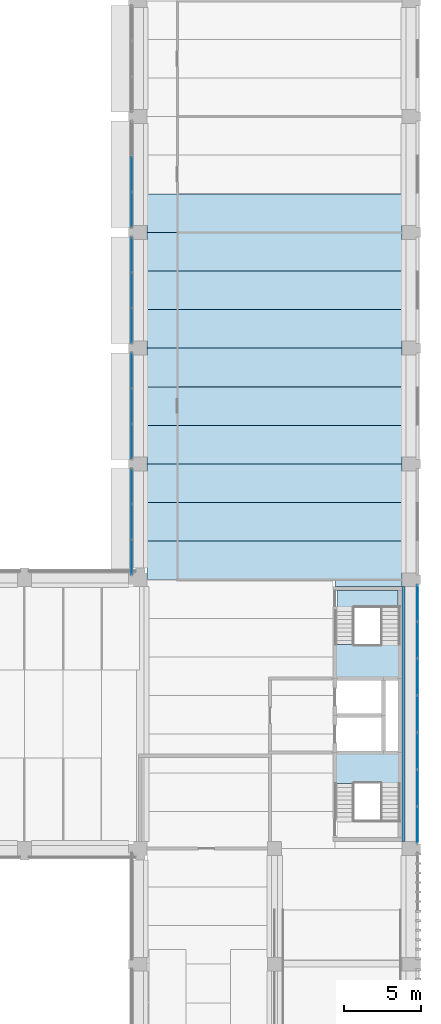
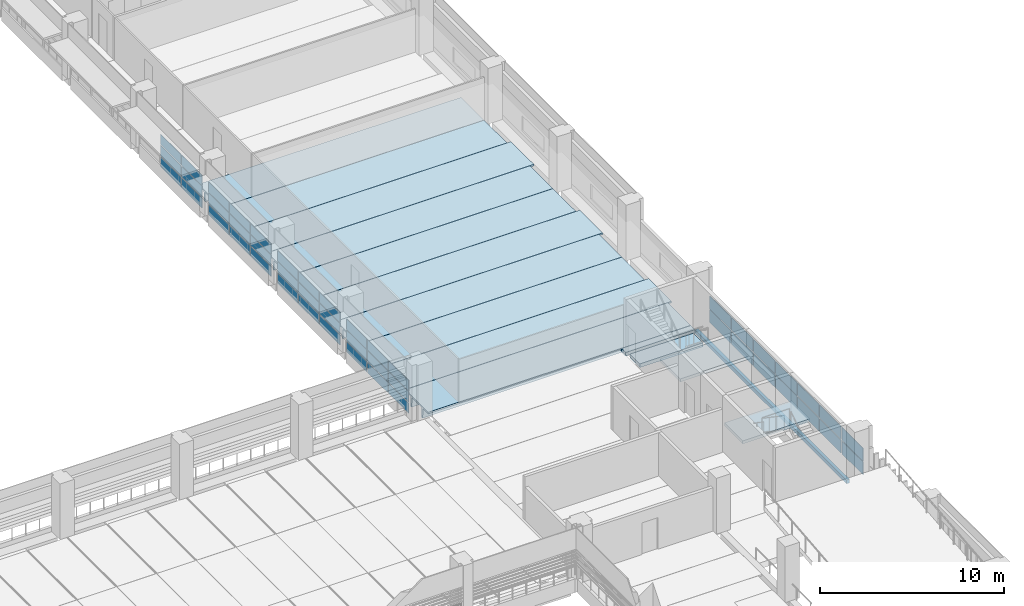
# One storey, part 27 of 57: 47 plates, 15 slabs, 7 elements without a shape of their own.
"""IFC4 building model written with IfcOpenShell, lengths in metres."""

from ifc_helpers import new_model, si_unit, direction, frame, origin, origin_2d, place, context, subcontext, project, spatial, polyline, rectangle, outline, extrude, material, layer, layer_set, material_profile, profile_set, type_object, element, aggregate, save


model = new_model("IFC4")

# Units and contexts
model_context = context("Model", 3, precision=1e-05, world=origin(), true_north=direction((0.0, 1.0)))
body_context = subcontext(model_context, "Body", "Model", "MODEL_VIEW")
ifc_project = project(units=[si_unit("LENGTHUNIT", "METRE"), si_unit("AREAUNIT", "SQUARE_METRE"), si_unit("VOLUMEUNIT", "CUBIC_METRE"), si_unit("PLANEANGLEUNIT", "RADIAN"), si_unit("MASSUNIT", "GRAM", prefix="KILO")], contexts=[model_context])

# Site, building, storey
site_placement = place(None, origin())
site = spatial("IfcSite", under=ifc_project, at=site_placement, CompositionType="ELEMENT")
building_placement = place(site_placement, origin())
building = spatial("IfcBuilding", under=site, at=building_placement, Name="Cour d'Honneur Mobility Palace", CompositionType="ELEMENT")
storey_placement = place(building_placement, frame((0.0, 0.0, 8.199951171875)))
storey = spatial("IfcBuildingStorey", under=building, at=storey_placement, Name="L02", CompositionType="ELEMENT", Elevation=8.199951171875)

# Slabs
ifc_material_1 = material(Name="Concrete C50", Category="concrete")
ifc_layer_1 = layer(ifc_material_1, 0.25)
ifc_layer_set_1 = layer_set([ifc_layer_1], Name="Concrete C50")
slab_type_1 = type_object("IfcSlabType", Name="Cast-in-place Slab 250", PredefinedType="FLOOR", material=ifc_layer_set_1)
slab_1_placement = place(storey_placement, frame((0.0, 0.0, -0.25)))
element("IfcSlab", 1, at=slab_1_placement, inside=storey, type_object=slab_type_1, Name="Cast-in-place slab S1 L02 core", PredefinedType="FLOOR", context=body_context, shape_type="SweptSolid", body=[
    extrude(outline(polyline([(161.85009765625, 61.949951171875), (157.5, 61.949951171875), (157.5, 62.39990234375), (161.85009765625, 62.39990234375), (161.85009765625, 61.949951171875)])), origin(), (0.0, 0.0, 1.0), 0.25),
])
slab_2_placement = place(storey_placement, frame((0.0, 0.0, -0.25)))
element("IfcSlab", 2, at=slab_2_placement, inside=storey, type_object=slab_type_1, Name="Cast-in-place slab S1 L02 core", PredefinedType="FLOOR", context=body_context, shape_type="SweptSolid", body=[
    extrude(outline(polyline([(162.050048828125, 61.949951171875), (162.050048828125, 45.449951171875), (161.85009765625, 45.449951171875), (161.85009765625, 61.949951171875), (162.050048828125, 61.949951171875)])), origin(), (0.0, 0.0, 1.0), 0.25),
])
slab_3_placement = place(storey_placement, frame((0.0, 0.0, -0.25)))
element("IfcSlab", 3, at=slab_3_placement, inside=storey, type_object=slab_type_1, Name="Cast-in-place slab S1 L02 core", PredefinedType="FLOOR", context=body_context, shape_type="SweptSolid", body=[
    extrude(outline(polyline([(161.60009765625, 61.699951171875), (161.60009765625, 60.625), (157.625, 60.625), (157.625, 61.699951171875), (161.60009765625, 61.699951171875)])), origin(), (0.0, 0.0, 1.0), 0.25),
])

# Curtain wall, plates
ifc_material_2 = material(Name="Aluminium and glass", Category="aluminium")
ifc_layer_2 = layer(ifc_material_2, 0.10009765625)
ifc_layer_set_2 = layer_set([ifc_layer_2], Name="Aluminium and glass")
curtain_wall_type = type_object("IfcCurtainWallType", Name="Curtain wall run", PredefinedType="NOTDEFINED", material=ifc_layer_set_2)
curtain_wall_1_placement = place(storey_placement, origin())
curtain_wall_1 = element("IfcCurtainWall", 4, at=curtain_wall_1_placement, inside=storey, type_object=curtain_wall_type, Name="Curtain wall CW-54", PredefinedType="NOTDEFINED")
ifc_material_3 = material(Name="Double glazing", Category="glass")
ifc_layer_3 = layer(ifc_material_3, 0.028076171875)
ifc_layer_set_3 = layer_set([ifc_layer_3], Name="Double glazing")
plate_type = type_object("IfcPlateType", Name="Curtain wall panel", PredefinedType="CURTAIN_PANEL", material=ifc_layer_set_3)
plate_1_placement = place(storey_placement, frame((144.35009765625, 88.64990234375, 0.06005859375), z_axis=(0.0, 0.0, 1.0), x_axis=(0.0, -1.0, 0.0)))
plate_1 = element("IfcPlate", 5, at=plate_1_placement, type_object=plate_type, Name="CW-54 panel 2.1", PredefinedType="CURTAIN_PANEL", context=body_context, shape_type="SweptSolid", body=[
    extrude(rectangle(XDim=2.239990234375, YDim=0.028076171875, at=origin_2d()), origin(), (0.0, 0.0, 1.0), 0.6767578125),
])
plate_2_placement = place(storey_placement, frame((144.35009765625, 88.64990234375, 0.796875), z_axis=(0.0, 0.0, 1.0), x_axis=(0.0, -1.0, 0.0)))
plate_2 = element("IfcPlate", 6, at=plate_2_placement, type_object=plate_type, Name="CW-54 panel 2.2", PredefinedType="CURTAIN_PANEL", context=body_context, shape_type="SweptSolid", body=[
    extrude(rectangle(XDim=2.239990234375, YDim=0.028076171875, at=origin_2d()), origin(), (0.0, 0.0, 1.0), 0.706787109375),
])
plate_3_placement = place(storey_placement, frame((144.35009765625, 88.64990234375, 1.563232421875), z_axis=(0.0, 0.0, 1.0), x_axis=(0.0, -1.0, 0.0)))
plate_3 = element("IfcPlate", 7, at=plate_3_placement, type_object=plate_type, Name="CW-54 panel 2.3", PredefinedType="CURTAIN_PANEL", context=body_context, shape_type="SweptSolid", body=[
    extrude(rectangle(XDim=2.239990234375, YDim=0.028076171875, at=origin_2d()), origin(), (0.0, 0.0, 1.0), 0.6767578125),
])
plate_4_placement = place(storey_placement, frame((144.35009765625, 86.364990234375, 0.06005859375), z_axis=(0.0, 0.0, 1.0), x_axis=(0.0, -1.0, 0.0)))
plate_4 = element("IfcPlate", 8, at=plate_4_placement, type_object=plate_type, Name="CW-54 panel 3.1", PredefinedType="CURTAIN_PANEL", context=body_context, shape_type="SweptSolid", body=[
    extrude(rectangle(XDim=2.2099609375, YDim=0.028076171875, at=origin_2d()), origin(), (0.0, 0.0, 1.0), 0.6767578125),
])
plate_5_placement = place(storey_placement, frame((144.35009765625, 86.364990234375, 0.796875), z_axis=(0.0, 0.0, 1.0), x_axis=(0.0, -1.0, 0.0)))
plate_5 = element("IfcPlate", 9, at=plate_5_placement, type_object=plate_type, Name="CW-54 panel 3.2", PredefinedType="CURTAIN_PANEL", context=body_context, shape_type="SweptSolid", body=[
    extrude(rectangle(XDim=2.2099609375, YDim=0.028076171875, at=origin_2d()), origin(), (0.0, 0.0, 1.0), 0.706787109375),
])
plate_6_placement = place(storey_placement, frame((144.35009765625, 86.364990234375, 1.563232421875), z_axis=(0.0, 0.0, 1.0), x_axis=(0.0, -1.0, 0.0)))
plate_6 = element("IfcPlate", 10, at=plate_6_placement, type_object=plate_type, Name="CW-54 panel 3.3", PredefinedType="CURTAIN_PANEL", context=body_context, shape_type="SweptSolid", body=[
    extrude(rectangle(XDim=2.2099609375, YDim=0.028076171875, at=origin_2d()), origin(), (0.0, 0.0, 1.0), 0.6767578125),
])
aggregate(curtain_wall_1, [plate_1, plate_2, plate_3, plate_4, plate_5, plate_6])

curtain_wall_2_placement = place(storey_placement, origin())
curtain_wall_2 = element("IfcCurtainWall", 11, at=curtain_wall_2_placement, inside=storey, type_object=curtain_wall_type, Name="Curtain wall CW-55", PredefinedType="NOTDEFINED")
plate_7_placement = place(storey_placement, frame((144.35009765625, 83.43505859375, 0.06005859375), z_axis=(0.0, 0.0, 1.0), x_axis=(0.0, -1.0, 0.0)))
plate_7 = element("IfcPlate", 12, at=plate_7_placement, type_object=plate_type, Name="CW-55 panel 1.1", PredefinedType="CURTAIN_PANEL", context=body_context, shape_type="SweptSolid", body=[
    extrude(rectangle(XDim=2.2099609375, YDim=0.028076171875, at=origin_2d()), origin(), (0.0, 0.0, 1.0), 0.6767578125),
])
plate_8_placement = place(storey_placement, frame((144.35009765625, 83.43505859375, 0.796875), z_axis=(0.0, 0.0, 1.0), x_axis=(0.0, -1.0, 0.0)))
plate_8 = element("IfcPlate", 13, at=plate_8_placement, type_object=plate_type, Name="CW-55 panel 1.2", PredefinedType="CURTAIN_PANEL", context=body_context, shape_type="SweptSolid", body=[
    extrude(rectangle(XDim=2.2099609375, YDim=0.028076171875, at=origin_2d()), origin(), (0.0, 0.0, 1.0), 0.706787109375),
])
plate_9_placement = place(storey_placement, frame((144.35009765625, 83.43505859375, 1.563232421875), z_axis=(0.0, 0.0, 1.0), x_axis=(0.0, -1.0, 0.0)))
plate_9 = element("IfcPlate", 14, at=plate_9_placement, type_object=plate_type, Name="CW-55 panel 1.3", PredefinedType="CURTAIN_PANEL", context=body_context, shape_type="SweptSolid", body=[
    extrude(rectangle(XDim=2.2099609375, YDim=0.028076171875, at=origin_2d()), origin(), (0.0, 0.0, 1.0), 0.6767578125),
])
plate_10_placement = place(storey_placement, frame((144.35009765625, 81.14990234375, 0.06005859375), z_axis=(0.0, 0.0, 1.0), x_axis=(0.0, -1.0, 0.0)))
plate_10 = element("IfcPlate", 15, at=plate_10_placement, type_object=plate_type, Name="CW-55 panel 2.1", PredefinedType="CURTAIN_PANEL", context=body_context, shape_type="SweptSolid", body=[
    extrude(rectangle(XDim=2.239990234375, YDim=0.028076171875, at=origin_2d()), origin(), (0.0, 0.0, 1.0), 0.6767578125),
])
plate_11_placement = place(storey_placement, frame((144.35009765625, 81.14990234375, 0.796875), z_axis=(0.0, 0.0, 1.0), x_axis=(0.0, -1.0, 0.0)))
plate_11 = element("IfcPlate", 16, at=plate_11_placement, type_object=plate_type, Name="CW-55 panel 2.2", PredefinedType="CURTAIN_PANEL", context=body_context, shape_type="SweptSolid", body=[
    extrude(rectangle(XDim=2.239990234375, YDim=0.028076171875, at=origin_2d()), origin(), (0.0, 0.0, 1.0), 0.706787109375),
])
plate_12_placement = place(storey_placement, frame((144.35009765625, 81.14990234375, 1.563232421875), z_axis=(0.0, 0.0, 1.0), x_axis=(0.0, -1.0, 0.0)))
plate_12 = element("IfcPlate", 17, at=plate_12_placement, type_object=plate_type, Name="CW-55 panel 2.3", PredefinedType="CURTAIN_PANEL", context=body_context, shape_type="SweptSolid", body=[
    extrude(rectangle(XDim=2.239990234375, YDim=0.028076171875, at=origin_2d()), origin(), (0.0, 0.0, 1.0), 0.6767578125),
])
plate_13_placement = place(storey_placement, frame((144.35009765625, 78.864990234375, 0.06005859375), z_axis=(0.0, 0.0, 1.0), x_axis=(0.0, -1.0, 0.0)))
plate_13 = element("IfcPlate", 18, at=plate_13_placement, type_object=plate_type, Name="CW-55 panel 3.1", PredefinedType="CURTAIN_PANEL", context=body_context, shape_type="SweptSolid", body=[
    extrude(rectangle(XDim=2.2099609375, YDim=0.028076171875, at=origin_2d()), origin(), (0.0, 0.0, 1.0), 0.6767578125),
])
plate_14_placement = place(storey_placement, frame((144.35009765625, 78.864990234375, 0.796875), z_axis=(0.0, 0.0, 1.0), x_axis=(0.0, -1.0, 0.0)))
plate_14 = element("IfcPlate", 19, at=plate_14_placement, type_object=plate_type, Name="CW-55 panel 3.2", PredefinedType="CURTAIN_PANEL", context=body_context, shape_type="SweptSolid", body=[
    extrude(rectangle(XDim=2.2099609375, YDim=0.028076171875, at=origin_2d()), origin(), (0.0, 0.0, 1.0), 0.706787109375),
])
plate_15_placement = place(storey_placement, frame((144.35009765625, 78.864990234375, 1.563232421875), z_axis=(0.0, 0.0, 1.0), x_axis=(0.0, -1.0, 0.0)))
plate_15 = element("IfcPlate", 20, at=plate_15_placement, type_object=plate_type, Name="CW-55 panel 3.3", PredefinedType="CURTAIN_PANEL", context=body_context, shape_type="SweptSolid", body=[
    extrude(rectangle(XDim=2.2099609375, YDim=0.028076171875, at=origin_2d()), origin(), (0.0, 0.0, 1.0), 0.6767578125),
])
aggregate(curtain_wall_2, [plate_7, plate_8, plate_9, plate_10, plate_11, plate_12, plate_13, plate_14, plate_15])

curtain_wall_3_placement = place(storey_placement, origin())
curtain_wall_3 = element("IfcCurtainWall", 21, at=curtain_wall_3_placement, inside=storey, type_object=curtain_wall_type, Name="Curtain wall CW-56", PredefinedType="NOTDEFINED")
plate_16_placement = place(storey_placement, frame((144.35009765625, 75.93505859375, 0.06005859375), z_axis=(0.0, 0.0, 1.0), x_axis=(0.0, -1.0, 0.0)))
plate_16 = element("IfcPlate", 22, at=plate_16_placement, type_object=plate_type, Name="CW-56 panel 1.1", PredefinedType="CURTAIN_PANEL", context=body_context, shape_type="SweptSolid", body=[
    extrude(rectangle(XDim=2.2099609375, YDim=0.028076171875, at=origin_2d()), origin(), (0.0, 0.0, 1.0), 0.6767578125),
])
plate_17_placement = place(storey_placement, frame((144.35009765625, 75.93505859375, 0.796875), z_axis=(0.0, 0.0, 1.0), x_axis=(0.0, -1.0, 0.0)))
plate_17 = element("IfcPlate", 23, at=plate_17_placement, type_object=plate_type, Name="CW-56 panel 1.2", PredefinedType="CURTAIN_PANEL", context=body_context, shape_type="SweptSolid", body=[
    extrude(rectangle(XDim=2.2099609375, YDim=0.028076171875, at=origin_2d()), origin(), (0.0, 0.0, 1.0), 0.706787109375),
])
plate_18_placement = place(storey_placement, frame((144.35009765625, 75.93505859375, 1.563232421875), z_axis=(0.0, 0.0, 1.0), x_axis=(0.0, -1.0, 0.0)))
plate_18 = element("IfcPlate", 24, at=plate_18_placement, type_object=plate_type, Name="CW-56 panel 1.3", PredefinedType="CURTAIN_PANEL", context=body_context, shape_type="SweptSolid", body=[
    extrude(rectangle(XDim=2.2099609375, YDim=0.028076171875, at=origin_2d()), origin(), (0.0, 0.0, 1.0), 0.6767578125),
])
plate_19_placement = place(storey_placement, frame((144.35009765625, 73.64990234375, 0.06005859375), z_axis=(0.0, 0.0, 1.0), x_axis=(0.0, -1.0, 0.0)))
plate_19 = element("IfcPlate", 25, at=plate_19_placement, type_object=plate_type, Name="CW-56 panel 2.1", PredefinedType="CURTAIN_PANEL", context=body_context, shape_type="SweptSolid", body=[
    extrude(rectangle(XDim=2.239990234375, YDim=0.028076171875, at=origin_2d()), origin(), (0.0, 0.0, 1.0), 0.6767578125),
])
plate_20_placement = place(storey_placement, frame((144.35009765625, 73.64990234375, 0.796875), z_axis=(0.0, 0.0, 1.0), x_axis=(0.0, -1.0, 0.0)))
plate_20 = element("IfcPlate", 26, at=plate_20_placement, type_object=plate_type, Name="CW-56 panel 2.2", PredefinedType="CURTAIN_PANEL", context=body_context, shape_type="SweptSolid", body=[
    extrude(rectangle(XDim=2.239990234375, YDim=0.028076171875, at=origin_2d()), origin(), (0.0, 0.0, 1.0), 0.706787109375),
])
plate_21_placement = place(storey_placement, frame((144.35009765625, 73.64990234375, 1.563232421875), z_axis=(0.0, 0.0, 1.0), x_axis=(0.0, -1.0, 0.0)))
plate_21 = element("IfcPlate", 27, at=plate_21_placement, type_object=plate_type, Name="CW-56 panel 2.3", PredefinedType="CURTAIN_PANEL", context=body_context, shape_type="SweptSolid", body=[
    extrude(rectangle(XDim=2.239990234375, YDim=0.028076171875, at=origin_2d()), origin(), (0.0, 0.0, 1.0), 0.6767578125),
])
plate_22_placement = place(storey_placement, frame((144.35009765625, 71.364990234375, 0.06005859375), z_axis=(0.0, 0.0, 1.0), x_axis=(0.0, -1.0, 0.0)))
plate_22 = element("IfcPlate", 28, at=plate_22_placement, type_object=plate_type, Name="CW-56 panel 3.1", PredefinedType="CURTAIN_PANEL", context=body_context, shape_type="SweptSolid", body=[
    extrude(rectangle(XDim=2.2099609375, YDim=0.028076171875, at=origin_2d()), origin(), (0.0, 0.0, 1.0), 0.6767578125),
])
plate_23_placement = place(storey_placement, frame((144.35009765625, 71.364990234375, 0.796875), z_axis=(0.0, 0.0, 1.0), x_axis=(0.0, -1.0, 0.0)))
plate_23 = element("IfcPlate", 29, at=plate_23_placement, type_object=plate_type, Name="CW-56 panel 3.2", PredefinedType="CURTAIN_PANEL", context=body_context, shape_type="SweptSolid", body=[
    extrude(rectangle(XDim=2.2099609375, YDim=0.028076171875, at=origin_2d()), origin(), (0.0, 0.0, 1.0), 0.706787109375),
])
plate_24_placement = place(storey_placement, frame((144.35009765625, 71.364990234375, 1.563232421875), z_axis=(0.0, 0.0, 1.0), x_axis=(0.0, -1.0, 0.0)))
plate_24 = element("IfcPlate", 30, at=plate_24_placement, type_object=plate_type, Name="CW-56 panel 3.3", PredefinedType="CURTAIN_PANEL", context=body_context, shape_type="SweptSolid", body=[
    extrude(rectangle(XDim=2.2099609375, YDim=0.028076171875, at=origin_2d()), origin(), (0.0, 0.0, 1.0), 0.6767578125),
])
aggregate(curtain_wall_3, [plate_16, plate_17, plate_18, plate_19, plate_20, plate_21, plate_22, plate_23, plate_24])

curtain_wall_4_placement = place(storey_placement, origin())
curtain_wall_4 = element("IfcCurtainWall", 31, at=curtain_wall_4_placement, inside=storey, type_object=curtain_wall_type, Name="Curtain wall CW-57", PredefinedType="NOTDEFINED")
plate_25_placement = place(storey_placement, frame((144.35009765625, 68.43505859375, 0.06005859375), z_axis=(0.0, 0.0, 1.0), x_axis=(0.0, -1.0, 0.0)))
plate_25 = element("IfcPlate", 32, at=plate_25_placement, type_object=plate_type, Name="CW-57 panel 1.1", PredefinedType="CURTAIN_PANEL", context=body_context, shape_type="SweptSolid", body=[
    extrude(rectangle(XDim=2.2099609375, YDim=0.028076171875, at=origin_2d()), origin(), (0.0, 0.0, 1.0), 0.6767578125),
])
plate_26_placement = place(storey_placement, frame((144.35009765625, 68.43505859375, 0.796875), z_axis=(0.0, 0.0, 1.0), x_axis=(0.0, -1.0, 0.0)))
plate_26 = element("IfcPlate", 33, at=plate_26_placement, type_object=plate_type, Name="CW-57 panel 1.2", PredefinedType="CURTAIN_PANEL", context=body_context, shape_type="SweptSolid", body=[
    extrude(rectangle(XDim=2.2099609375, YDim=0.028076171875, at=origin_2d()), origin(), (0.0, 0.0, 1.0), 0.706787109375),
])
plate_27_placement = place(storey_placement, frame((144.35009765625, 68.43505859375, 1.563232421875), z_axis=(0.0, 0.0, 1.0), x_axis=(0.0, -1.0, 0.0)))
plate_27 = element("IfcPlate", 34, at=plate_27_placement, type_object=plate_type, Name="CW-57 panel 1.3", PredefinedType="CURTAIN_PANEL", context=body_context, shape_type="SweptSolid", body=[
    extrude(rectangle(XDim=2.2099609375, YDim=0.028076171875, at=origin_2d()), origin(), (0.0, 0.0, 1.0), 0.6767578125),
])
plate_28_placement = place(storey_placement, frame((144.35009765625, 66.14990234375, 0.06005859375), z_axis=(0.0, 0.0, 1.0), x_axis=(0.0, -1.0, 0.0)))
plate_28 = element("IfcPlate", 35, at=plate_28_placement, type_object=plate_type, Name="CW-57 panel 2.1", PredefinedType="CURTAIN_PANEL", context=body_context, shape_type="SweptSolid", body=[
    extrude(rectangle(XDim=2.239990234375, YDim=0.028076171875, at=origin_2d()), origin(), (0.0, 0.0, 1.0), 0.6767578125),
])
plate_29_placement = place(storey_placement, frame((144.35009765625, 66.14990234375, 0.796875), z_axis=(0.0, 0.0, 1.0), x_axis=(0.0, -1.0, 0.0)))
plate_29 = element("IfcPlate", 36, at=plate_29_placement, type_object=plate_type, Name="CW-57 panel 2.2", PredefinedType="CURTAIN_PANEL", context=body_context, shape_type="SweptSolid", body=[
    extrude(rectangle(XDim=2.239990234375, YDim=0.028076171875, at=origin_2d()), origin(), (0.0, 0.0, 1.0), 0.706787109375),
])
plate_30_placement = place(storey_placement, frame((144.35009765625, 66.14990234375, 1.563232421875), z_axis=(0.0, 0.0, 1.0), x_axis=(0.0, -1.0, 0.0)))
plate_30 = element("IfcPlate", 37, at=plate_30_placement, type_object=plate_type, Name="CW-57 panel 2.3", PredefinedType="CURTAIN_PANEL", context=body_context, shape_type="SweptSolid", body=[
    extrude(rectangle(XDim=2.239990234375, YDim=0.028076171875, at=origin_2d()), origin(), (0.0, 0.0, 1.0), 0.6767578125),
])
plate_31_placement = place(storey_placement, frame((144.35009765625, 63.864990234375, 0.06005859375), z_axis=(0.0, 0.0, 1.0), x_axis=(0.0, -1.0, 0.0)))
plate_31 = element("IfcPlate", 38, at=plate_31_placement, type_object=plate_type, Name="CW-57 panel 3.1", PredefinedType="CURTAIN_PANEL", context=body_context, shape_type="SweptSolid", body=[
    extrude(rectangle(XDim=2.2099609375, YDim=0.028076171875, at=origin_2d()), origin(), (0.0, 0.0, 1.0), 0.6767578125),
])
plate_32_placement = place(storey_placement, frame((144.35009765625, 63.864990234375, 0.796875), z_axis=(0.0, 0.0, 1.0), x_axis=(0.0, -1.0, 0.0)))
plate_32 = element("IfcPlate", 39, at=plate_32_placement, type_object=plate_type, Name="CW-57 panel 3.2", PredefinedType="CURTAIN_PANEL", context=body_context, shape_type="SweptSolid", body=[
    extrude(rectangle(XDim=2.2099609375, YDim=0.028076171875, at=origin_2d()), origin(), (0.0, 0.0, 1.0), 0.706787109375),
])
plate_33_placement = place(storey_placement, frame((144.35009765625, 63.864990234375, 1.563232421875), z_axis=(0.0, 0.0, 1.0), x_axis=(0.0, -1.0, 0.0)))
plate_33 = element("IfcPlate", 40, at=plate_33_placement, type_object=plate_type, Name="CW-57 panel 3.3", PredefinedType="CURTAIN_PANEL", context=body_context, shape_type="SweptSolid", body=[
    extrude(rectangle(XDim=2.2099609375, YDim=0.028076171875, at=origin_2d()), origin(), (0.0, 0.0, 1.0), 0.6767578125),
])
aggregate(curtain_wall_4, [plate_25, plate_26, plate_27, plate_28, plate_29, plate_30, plate_31, plate_32, plate_33])

curtain_wall_5_placement = place(storey_placement, origin())
curtain_wall_5 = element("IfcCurtainWall", 41, at=curtain_wall_5_placement, inside=storey, type_object=curtain_wall_type, Name="Curtain wall CW-88", PredefinedType="NOTDEFINED")
plate_34_placement = place(storey_placement, frame((162.85009765625, 46.514892578125, 0.06005859375), z_axis=(0.0, 0.0, 1.0), x_axis=(0.0, 1.0, 0.0)))
plate_34 = element("IfcPlate", 42, at=plate_34_placement, type_object=plate_type, Name="CW-88 panel 1.1", PredefinedType="CURTAIN_PANEL", context=body_context, shape_type="SweptSolid", body=[
    extrude(rectangle(XDim=2.31005859375, YDim=0.028076171875, at=origin_2d()), origin(), (0.0, 0.0, 1.0), 0.860107421875),
])
plate_35_placement = place(storey_placement, frame((162.85009765625, 46.514892578125, 0.97998046875), z_axis=(0.0, 0.0, 1.0), x_axis=(0.0, 1.0, 0.0)))
plate_35 = element("IfcPlate", 43, at=plate_35_placement, type_object=plate_type, Name="CW-88 panel 1.2", PredefinedType="CURTAIN_PANEL", context=body_context, shape_type="SweptSolid", body=[
    extrude(rectangle(XDim=2.31005859375, YDim=0.028076171875, at=origin_2d()), origin(), (0.0, 0.0, 1.0), 0.860107421875),
])
plate_36_placement = place(storey_placement, frame((162.85009765625, 48.89990234375, 0.06005859375), z_axis=(0.0, 0.0, 1.0), x_axis=(0.0, 1.0, 0.0)))
plate_36 = element("IfcPlate", 44, at=plate_36_placement, type_object=plate_type, Name="CW-88 panel 2.1", PredefinedType="CURTAIN_PANEL", context=body_context, shape_type="SweptSolid", body=[
    extrude(rectangle(XDim=2.340087890625, YDim=0.028076171875, at=origin_2d()), origin(), (0.0, 0.0, 1.0), 0.860107421875),
])
plate_37_placement = place(storey_placement, frame((162.85009765625, 48.89990234375, 0.97998046875), z_axis=(0.0, 0.0, 1.0), x_axis=(0.0, 1.0, 0.0)))
plate_37 = element("IfcPlate", 45, at=plate_37_placement, type_object=plate_type, Name="CW-88 panel 2.2", PredefinedType="CURTAIN_PANEL", context=body_context, shape_type="SweptSolid", body=[
    extrude(rectangle(XDim=2.340087890625, YDim=0.028076171875, at=origin_2d()), origin(), (0.0, 0.0, 1.0), 0.860107421875),
])
plate_38_placement = place(storey_placement, frame((162.85009765625, 51.300048828125, 0.06005859375), z_axis=(0.0, 0.0, 1.0), x_axis=(0.0, 1.0, 0.0)))
plate_38 = element("IfcPlate", 46, at=plate_38_placement, type_object=plate_type, Name="CW-88 panel 3.1", PredefinedType="CURTAIN_PANEL", context=body_context, shape_type="SweptSolid", body=[
    extrude(rectangle(XDim=2.340087890625, YDim=0.028076171875, at=origin_2d()), origin(), (0.0, 0.0, 1.0), 0.860107421875),
])
plate_39_placement = place(storey_placement, frame((162.85009765625, 51.300048828125, 0.97998046875), z_axis=(0.0, 0.0, 1.0), x_axis=(0.0, 1.0, 0.0)))
plate_39 = element("IfcPlate", 47, at=plate_39_placement, type_object=plate_type, Name="CW-88 panel 3.2", PredefinedType="CURTAIN_PANEL", context=body_context, shape_type="SweptSolid", body=[
    extrude(rectangle(XDim=2.340087890625, YDim=0.028076171875, at=origin_2d()), origin(), (0.0, 0.0, 1.0), 0.860107421875),
])
plate_40_placement = place(storey_placement, frame((162.85009765625, 53.699951171875, 0.06005859375), z_axis=(0.0, 0.0, 1.0), x_axis=(0.0, 1.0, 0.0)))
plate_40 = element("IfcPlate", 48, at=plate_40_placement, type_object=plate_type, Name="CW-88 panel 4.1", PredefinedType="CURTAIN_PANEL", context=body_context, shape_type="SweptSolid", body=[
    extrude(rectangle(XDim=2.340087890625, YDim=0.028076171875, at=origin_2d()), origin(), (0.0, 0.0, 1.0), 0.860107421875),
])
plate_41_placement = place(storey_placement, frame((162.85009765625, 53.699951171875, 0.97998046875), z_axis=(0.0, 0.0, 1.0), x_axis=(0.0, 1.0, 0.0)))
plate_41 = element("IfcPlate", 49, at=plate_41_placement, type_object=plate_type, Name="CW-88 panel 4.2", PredefinedType="CURTAIN_PANEL", context=body_context, shape_type="SweptSolid", body=[
    extrude(rectangle(XDim=2.340087890625, YDim=0.028076171875, at=origin_2d()), origin(), (0.0, 0.0, 1.0), 0.860107421875),
])
plate_42_placement = place(storey_placement, frame((162.85009765625, 56.10009765625, 0.06005859375), z_axis=(0.0, 0.0, 1.0), x_axis=(0.0, 1.0, 0.0)))
plate_42 = element("IfcPlate", 50, at=plate_42_placement, type_object=plate_type, Name="CW-88 panel 5.1", PredefinedType="CURTAIN_PANEL", context=body_context, shape_type="SweptSolid", body=[
    extrude(rectangle(XDim=2.340087890625, YDim=0.028076171875, at=origin_2d()), origin(), (0.0, 0.0, 1.0), 0.860107421875),
])
plate_43_placement = place(storey_placement, frame((162.85009765625, 56.10009765625, 0.97998046875), z_axis=(0.0, 0.0, 1.0), x_axis=(0.0, 1.0, 0.0)))
plate_43 = element("IfcPlate", 51, at=plate_43_placement, type_object=plate_type, Name="CW-88 panel 5.2", PredefinedType="CURTAIN_PANEL", context=body_context, shape_type="SweptSolid", body=[
    extrude(rectangle(XDim=2.340087890625, YDim=0.028076171875, at=origin_2d()), origin(), (0.0, 0.0, 1.0), 0.860107421875),
])
plate_44_placement = place(storey_placement, frame((162.85009765625, 58.5, 0.06005859375), z_axis=(0.0, 0.0, 1.0), x_axis=(0.0, 1.0, 0.0)))
plate_44 = element("IfcPlate", 52, at=plate_44_placement, type_object=plate_type, Name="CW-88 panel 6.1", PredefinedType="CURTAIN_PANEL", context=body_context, shape_type="SweptSolid", body=[
    extrude(rectangle(XDim=2.340087890625, YDim=0.028076171875, at=origin_2d()), origin(), (0.0, 0.0, 1.0), 0.860107421875),
])
plate_45_placement = place(storey_placement, frame((162.85009765625, 58.5, 0.97998046875), z_axis=(0.0, 0.0, 1.0), x_axis=(0.0, 1.0, 0.0)))
plate_45 = element("IfcPlate", 53, at=plate_45_placement, type_object=plate_type, Name="CW-88 panel 6.2", PredefinedType="CURTAIN_PANEL", context=body_context, shape_type="SweptSolid", body=[
    extrude(rectangle(XDim=2.340087890625, YDim=0.028076171875, at=origin_2d()), origin(), (0.0, 0.0, 1.0), 0.860107421875),
])
plate_46_placement = place(storey_placement, frame((162.85009765625, 60.885009765625, 0.06005859375), z_axis=(0.0, 0.0, 1.0), x_axis=(0.0, 1.0, 0.0)))
plate_46 = element("IfcPlate", 54, at=plate_46_placement, type_object=plate_type, Name="CW-88 panel 7.1", PredefinedType="CURTAIN_PANEL", context=body_context, shape_type="SweptSolid", body=[
    extrude(rectangle(XDim=2.31005859375, YDim=0.028076171875, at=origin_2d()), origin(), (0.0, 0.0, 1.0), 0.860107421875),
])
plate_47_placement = place(storey_placement, frame((162.85009765625, 60.885009765625, 0.97998046875), z_axis=(0.0, 0.0, 1.0), x_axis=(0.0, 1.0, 0.0)))
plate_47 = element("IfcPlate", 55, at=plate_47_placement, type_object=plate_type, Name="CW-88 panel 7.2", PredefinedType="CURTAIN_PANEL", context=body_context, shape_type="SweptSolid", body=[
    extrude(rectangle(XDim=2.31005859375, YDim=0.028076171875, at=origin_2d()), origin(), (0.0, 0.0, 1.0), 0.860107421875),
])
aggregate(curtain_wall_5, [plate_34, plate_35, plate_36, plate_37, plate_38, plate_39, plate_40, plate_41, plate_42, plate_43, plate_44, plate_45, plate_46, plate_47])

# Slabs
ifc_material_4 = material(Name="Concrete C45", Category="concrete")
ifc_material_profile = material_profile(ifc_material_4, outline(polyline([(-1.2451171875, 0.0), (1.2451171875, 0.0), (1.2451171875, -0.10009765625), (0.679931640625, -0.10009765625), (0.64990234375, -0.75), (0.550048828125, -0.75), (0.52001953125, -0.10009765625), (-0.52001953125, -0.10009765625), (-0.550048828125, -0.75), (-0.64990234375, -0.75), (-0.679931640625, -0.10009765625), (-1.2451171875, -0.10009765625), (-1.2451171875, 0.0)])), Name="DT 2490x750")
ifc_profile_set = profile_set([ifc_material_profile], Name="Concrete C45")
slab_type_2 = type_object("IfcSlabType", Name="DT 2490x750", PredefinedType="FLOOR", material=ifc_profile_set)
slab_4_placement = place(storey_placement, frame((145.35009765625, 63.64990234375, 0.0), z_axis=(1.0, 0.0, 0.0), x_axis=(0.0, 1.0, 0.0)))
element("IfcSlab", 56, at=slab_4_placement, inside=storey, type_object=slab_type_2, Name="Double tee DT-NE1 L02", PredefinedType="FLOOR", context=body_context, shape_type="SweptSolid", body=[
    extrude(outline(polyline([(-1.2451171875, 0.0), (1.2451171875, 0.0), (1.2451171875, -0.10009765625), (0.679931640625, -0.10009765625), (0.64990234375, -0.75), (0.550048828125, -0.75), (0.52001953125, -0.10009765625), (-0.52001953125, -0.10009765625), (-0.550048828125, -0.75), (-0.64990234375, -0.75), (-0.679931640625, -0.10009765625), (-1.2451171875, -0.10009765625), (-1.2451171875, 0.0)])), origin(), (0.0, 0.0, 1.0), 16.5),
])
slab_5_placement = place(storey_placement, frame((145.10009765625, 66.14990234375, 0.0), z_axis=(1.0, 0.0, 0.0), x_axis=(0.0, 1.0, 0.0)))
element("IfcSlab", 57, at=slab_5_placement, inside=storey, type_object=slab_type_2, Name="Double tee DT-NE2 L02", PredefinedType="FLOOR", context=body_context, shape_type="SweptSolid", body=[
    extrude(outline(polyline([(-1.2451171875, 0.0), (1.2451171875, 0.0), (1.2451171875, -0.10009765625), (0.679931640625, -0.10009765625), (0.64990234375, -0.75), (0.550048828125, -0.75), (0.52001953125, -0.10009765625), (-0.52001953125, -0.10009765625), (-0.550048828125, -0.75), (-0.64990234375, -0.75), (-0.679931640625, -0.10009765625), (-1.2451171875, -0.10009765625), (-1.2451171875, 0.0)])), origin(), (0.0, 0.0, 1.0), 17.0),
])
for number, where, z_axis, x_axis, name in (
    (58, (145.35009765625, 68.64990234375, 0.0), (1.0, 0.0, 0.0), (0.0, 1.0, 0.0), "Double tee DT-NE3 L02"),
    (59, (145.35009765625, 71.14990234375, 0.0), (1.0, 0.0, 0.0), (0.0, 1.0, 0.0), "Double tee DT-NE4 L02"),
):
    element("IfcSlab", number, at=place(storey_placement, frame(where, z_axis=z_axis, x_axis=x_axis)), inside=storey, type_object=slab_type_2, Name=name, PredefinedType="FLOOR", context=body_context, shape_type="SweptSolid", body=[
        extrude(outline(polyline([(-1.2451171875, 0.0), (1.2451171875, 0.0), (1.2451171875, -0.10009765625), (0.679931640625, -0.10009765625), (0.64990234375, -0.75), (0.550048828125, -0.75), (0.52001953125, -0.10009765625), (-0.52001953125, -0.10009765625), (-0.550048828125, -0.75), (-0.64990234375, -0.75), (-0.679931640625, -0.10009765625), (-1.2451171875, -0.10009765625), (-1.2451171875, 0.0)])), origin(), (0.0, 0.0, 1.0), 16.5),
    ])
slab_6_placement = place(storey_placement, frame((145.10009765625, 73.64990234375, 0.0), z_axis=(1.0, 0.0, 0.0), x_axis=(0.0, 1.0, 0.0)))
element("IfcSlab", 60, at=slab_6_placement, inside=storey, type_object=slab_type_2, Name="Double tee DT-NE5 L02", PredefinedType="FLOOR", context=body_context, shape_type="SweptSolid", body=[
    extrude(outline(polyline([(-1.2451171875, 0.0), (1.2451171875, 0.0), (1.2451171875, -0.10009765625), (0.679931640625, -0.10009765625), (0.64990234375, -0.75), (0.550048828125, -0.75), (0.52001953125, -0.10009765625), (-0.52001953125, -0.10009765625), (-0.550048828125, -0.75), (-0.64990234375, -0.75), (-0.679931640625, -0.10009765625), (-1.2451171875, -0.10009765625), (-1.2451171875, 0.0)])), origin(), (0.0, 0.0, 1.0), 17.0),
])
for number, where, z_axis, x_axis, name in (
    (61, (145.35009765625, 76.14990234375, 0.0), (1.0, 0.0, 0.0), (0.0, 1.0, 0.0), "Double tee DT-NE6 L02"),
    (62, (145.35009765625, 78.64990234375, 0.0), (1.0, 0.0, 0.0), (0.0, 1.0, 0.0), "Double tee DT-NE7 L02"),
):
    element("IfcSlab", number, at=place(storey_placement, frame(where, z_axis=z_axis, x_axis=x_axis)), inside=storey, type_object=slab_type_2, Name=name, PredefinedType="FLOOR", context=body_context, shape_type="SweptSolid", body=[
        extrude(outline(polyline([(-1.2451171875, 0.0), (1.2451171875, 0.0), (1.2451171875, -0.10009765625), (0.679931640625, -0.10009765625), (0.64990234375, -0.75), (0.550048828125, -0.75), (0.52001953125, -0.10009765625), (-0.52001953125, -0.10009765625), (-0.550048828125, -0.75), (-0.64990234375, -0.75), (-0.679931640625, -0.10009765625), (-1.2451171875, -0.10009765625), (-1.2451171875, 0.0)])), origin(), (0.0, 0.0, 1.0), 16.5),
    ])
slab_7_placement = place(storey_placement, frame((145.10009765625, 81.14990234375, 0.0), z_axis=(1.0, 0.0, 0.0), x_axis=(0.0, 1.0, 0.0)))
element("IfcSlab", 63, at=slab_7_placement, inside=storey, type_object=slab_type_2, Name="Double tee DT-NE8 L02", PredefinedType="FLOOR", context=body_context, shape_type="SweptSolid", body=[
    extrude(outline(polyline([(-1.2451171875, 0.0), (1.2451171875, 0.0), (1.2451171875, -0.10009765625), (0.679931640625, -0.10009765625), (0.64990234375, -0.75), (0.550048828125, -0.75), (0.52001953125, -0.10009765625), (-0.52001953125, -0.10009765625), (-0.550048828125, -0.75), (-0.64990234375, -0.75), (-0.679931640625, -0.10009765625), (-1.2451171875, -0.10009765625), (-1.2451171875, 0.0)])), origin(), (0.0, 0.0, 1.0), 17.0),
])
for number, where, z_axis, x_axis, name in (
    (64, (145.35009765625, 83.64990234375, 0.0), (1.0, 0.0, 0.0), (0.0, 1.0, 0.0), "Double tee DT-NE9 L02"),
    (65, (145.35009765625, 86.14990234375, 0.0), (1.0, 0.0, 0.0), (0.0, 1.0, 0.0), "Double tee DT-NE10 L02"),
):
    element("IfcSlab", number, at=place(storey_placement, frame(where, z_axis=z_axis, x_axis=x_axis)), inside=storey, type_object=slab_type_2, Name=name, PredefinedType="FLOOR", context=body_context, shape_type="SweptSolid", body=[
        extrude(outline(polyline([(-1.2451171875, 0.0), (1.2451171875, 0.0), (1.2451171875, -0.10009765625), (0.679931640625, -0.10009765625), (0.64990234375, -0.75), (0.550048828125, -0.75), (0.52001953125, -0.10009765625), (-0.52001953125, -0.10009765625), (-0.550048828125, -0.75), (-0.64990234375, -0.75), (-0.679931640625, -0.10009765625), (-1.2451171875, -0.10009765625), (-1.2451171875, 0.0)])), origin(), (0.0, 0.0, 1.0), 16.5),
    ])

# Stair, slab
ifc_material_5 = material(Name="Concrete C50", Category="concrete")
stair_type = type_object("IfcStairType", Name="Stair 20 risers", PredefinedType="HALF_TURN_STAIR", material=ifc_material_5)
stair_1_placement = place(storey_placement, origin())
stair_1 = element("IfcStair", 66, at=stair_1_placement, inside=storey, type_object=stair_type, Name="Stair ST-CE1", PredefinedType="HALF_TURN_STAIR")
ifc_material_6 = material(Name="Concrete C50", Category="concrete")
ifc_layer_4 = layer(ifc_material_6, 0.199951171875)
ifc_layer_set_4 = layer_set([ifc_layer_4], Name="Concrete C50")
slab_type_3 = type_object("IfcSlabType", Name="Stair landing", PredefinedType="LANDING", material=ifc_layer_set_4)
slab_8_placement = place(storey_placement, frame((0.0, 0.0, 1.650146484375)))
slab_8 = element("IfcSlab", 67, at=slab_8_placement, type_object=slab_type_3, Name="ST-CE1 landing 1", PredefinedType="LANDING", context=body_context, shape_type="SweptSolid", body=[
    extrude(outline(polyline([(157.5, 49.205078125), (161.72509765625, 49.205078125), (161.72509765625, 51.199951171875), (157.5, 51.199951171875), (157.5, 49.205078125)])), origin(), (0.0, 0.0, 1.0), 0.199951171875),
])
aggregate(stair_1, [slab_8])

stair_2_placement = place(storey_placement, origin())
stair_2 = element("IfcStair", 68, at=stair_2_placement, inside=storey, type_object=stair_type, Name="Stair ST-CE2", PredefinedType="HALF_TURN_STAIR")
slab_9_placement = place(storey_placement, frame((0.0, 0.0, 1.650146484375)))
slab_9 = element("IfcSlab", 69, at=slab_9_placement, type_object=slab_type_3, Name="ST-CE2 landing 1", PredefinedType="LANDING", context=body_context, shape_type="SweptSolid", body=[
    extrude(outline(polyline([(157.5, 56.0), (161.72509765625, 56.0), (161.72509765625, 58.195068359375), (157.5, 58.195068359375), (157.5, 56.0)])), origin(), (0.0, 0.0, 1.0), 0.199951171875),
])
aggregate(stair_2, [slab_9])

save(model, "model.ifc")
